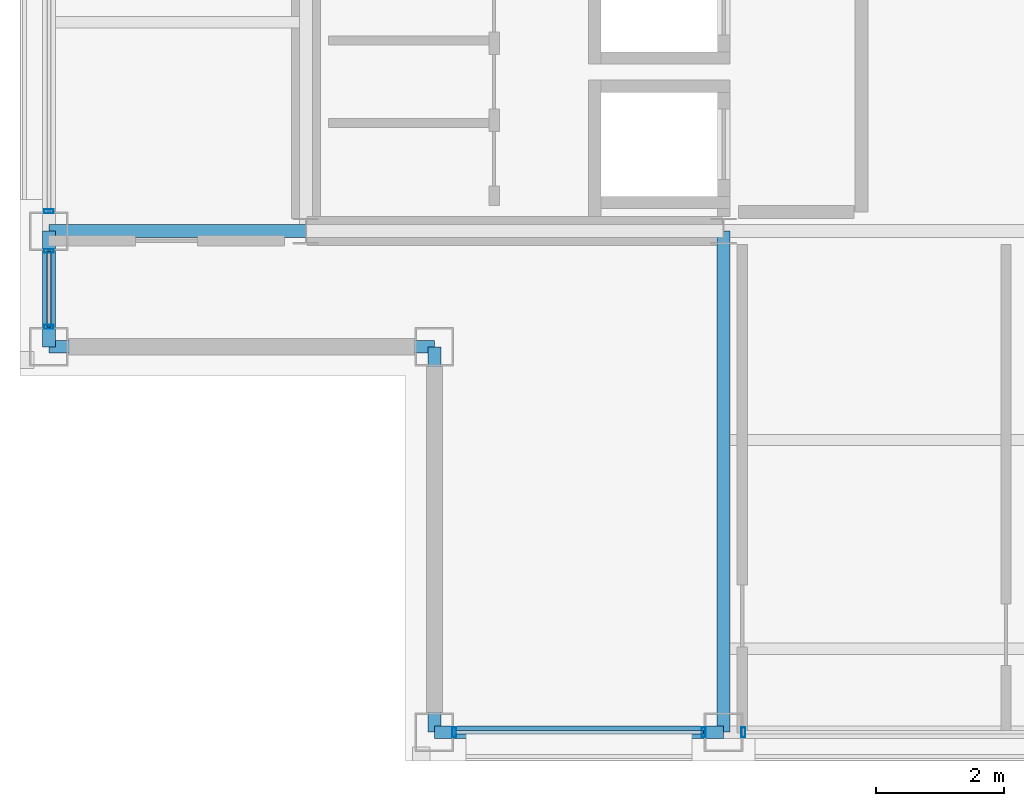
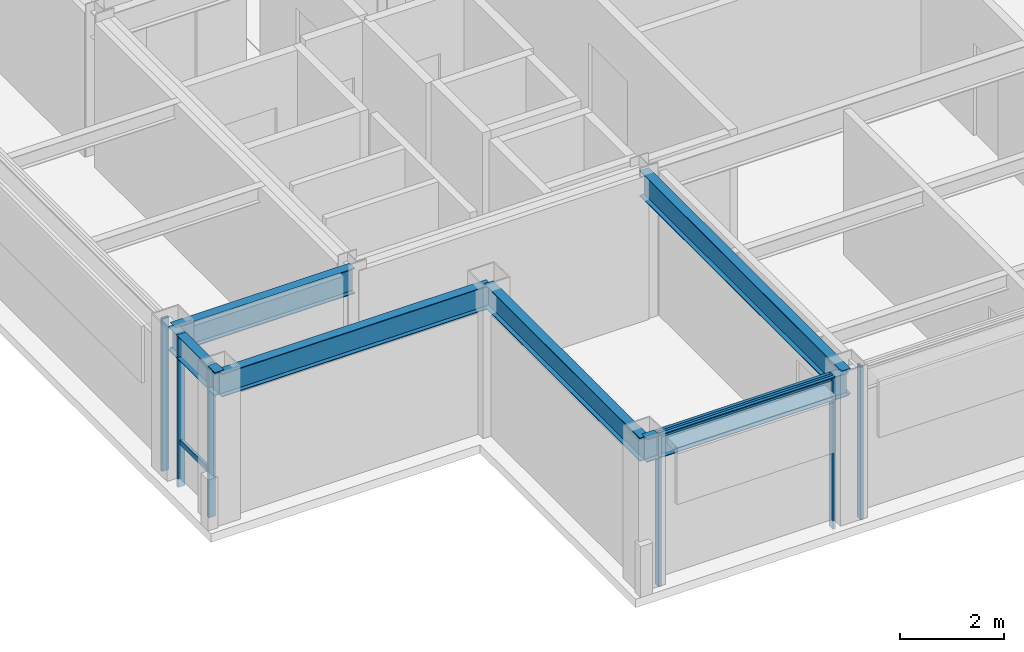
# One storey, part 2 of 20: 8 members, 6 beams, 4 elements without a shape of their own.
"""IFC4 building model written with IfcOpenShell, lengths in metres."""

from ifc_helpers import new_model, si_unit, direction, frame, origin, origin_2d, place, context, subcontext, project, spatial, hollow_rectangle, i_section, extrude, material, layer, layer_set, material_profile, profile_set, type_object, element, aggregate, save


model = new_model("IFC4")

# Units and contexts
model_context = context("Model", 3, precision=1e-05, world=origin(), true_north=direction((0.0, 1.0)))
body_context = subcontext(model_context, "Body", "Model", "MODEL_VIEW")
ifc_project = project(units=[si_unit("LENGTHUNIT", "METRE"), si_unit("AREAUNIT", "SQUARE_METRE"), si_unit("VOLUMEUNIT", "CUBIC_METRE"), si_unit("PLANEANGLEUNIT", "RADIAN"), si_unit("MASSUNIT", "GRAM", prefix="KILO")], contexts=[model_context])

# Site, building, storey
site_placement = place(None, origin())
site = spatial("IfcSite", under=ifc_project, at=site_placement, CompositionType="ELEMENT")
building_placement = place(site_placement, origin())
building = spatial("IfcBuilding", under=site, at=building_placement, Name="Brelmoor Portico Tower", CompositionType="ELEMENT")
storey_placement = place(building_placement, frame((0.0, 0.0, 272.39990234375)))
storey = spatial("IfcBuildingStorey", under=building, at=storey_placement, Name="L72", CompositionType="ELEMENT", Elevation=272.39990234375)

# Beams
ifc_material_1 = material(Name="Steel Q355B", Category="steel")
ifc_material_profile_1 = material_profile(ifc_material_1, i_section(OverallWidth=0.199951171875, OverallDepth=0.60009765625, WebThickness=0.010986328125, FlangeThickness=0.01708984375, at=origin_2d()), Name="HN 600x200x11x17")
ifc_profile_set_1 = profile_set([ifc_material_profile_1], Name="Steel Q355B")
beam_type_1 = type_object("IfcBeamType", Name="BM-PG-600", PredefinedType="BEAM", material=ifc_profile_set_1)
beam_1_placement = place(storey_placement, frame((-8.050048828125, -17.550048828125, 3.10009765625), z_axis=(0.0, 1.0, 0.0), x_axis=(-1.0, 0.0, 0.0)))
element("IfcBeam", 1, at=beam_1_placement, inside=storey, type_object=beam_type_1, Name="L72 Primary Floor Girder PG-03", PredefinedType="BEAM", context=body_context, shape_type="SweptSolid", body=[
    extrude(i_section(OverallWidth=0.199951171875, OverallDepth=0.60009765625, WebThickness=0.010986328125, FlangeThickness=0.01708984375, at=origin_2d()), origin(), (0.0, 0.0, 1.0), 7.800048828125),
])
beam_2_placement = place(storey_placement, frame((-18.550048828125, -9.75, 3.10009765625), z_axis=(1.0, 0.0, 0.0), x_axis=(0.0, 1.0, 0.0)))
element("IfcBeam", 2, at=beam_2_placement, inside=storey, type_object=beam_type_1, Name="L72 Primary Floor Girder PG-11", PredefinedType="BEAM", context=body_context, shape_type="SweptSolid", body=[
    extrude(i_section(OverallWidth=0.199951171875, OverallDepth=0.60009765625, WebThickness=0.010986328125, FlangeThickness=0.01708984375, at=origin_2d()), origin(), (0.0, 0.0, 1.0), 4.0),
])
ifc_material_profile_2 = material_profile(ifc_material_1, i_section(OverallWidth=0.199951171875, OverallDepth=0.550048828125, WebThickness=0.010009765625, FlangeThickness=0.01611328125, at=origin_2d()), Name="HN 550x200x10x16")
ifc_profile_set_2 = profile_set([ifc_material_profile_2], Name="Steel Q355B")
beam_type_2 = type_object("IfcBeamType", Name="BM-SP-550", PredefinedType="SPANDREL", material=ifc_profile_set_2)
beam_3_placement = place(storey_placement, frame((-12.550048828125, -17.550048828125, 3.125), z_axis=(1.0, 0.0, 0.0), x_axis=(0.0, 1.0, 0.0)))
element("IfcBeam", 3, at=beam_3_placement, inside=storey, type_object=beam_type_2, Name="L72 Perimeter Spandrel Beam SP-01", PredefinedType="SPANDREL", context=body_context, shape_type="SweptSolid", body=[
    extrude(i_section(OverallWidth=0.199951171875, OverallDepth=0.550048828125, WebThickness=0.010009765625, FlangeThickness=0.01611328125, at=origin_2d()), origin(), (0.0, 0.0, 1.0), 4.5),
])
beam_4_placement = place(storey_placement, frame((-18.550048828125, -11.550048828125, 3.125), z_axis=(1.0, 0.0, 0.0), x_axis=(0.0, 1.0, 0.0)))
element("IfcBeam", 4, at=beam_4_placement, inside=storey, type_object=beam_type_2, Name="L72 Perimeter Spandrel Beam SP-04", PredefinedType="SPANDREL", context=body_context, shape_type="SweptSolid", body=[
    extrude(i_section(OverallWidth=0.199951171875, OverallDepth=0.550048828125, WebThickness=0.010009765625, FlangeThickness=0.01611328125, at=origin_2d()), origin(), (0.0, 0.0, 1.0), 6.0),
])
beam_5_placement = place(storey_placement, frame((-18.550048828125, -11.550048828125, 3.125), z_axis=(0.0, 1.0, 0.0), x_axis=(-1.0, 0.0, 0.0)))
element("IfcBeam", 5, at=beam_5_placement, inside=storey, type_object=beam_type_2, Name="L72 Perimeter Spandrel Beam SP-11", PredefinedType="SPANDREL", context=body_context, shape_type="SweptSolid", body=[
    extrude(i_section(OverallWidth=0.199951171875, OverallDepth=0.550048828125, WebThickness=0.010009765625, FlangeThickness=0.01611328125, at=origin_2d()), origin(), (0.0, 0.0, 1.0), 1.800048828125),
])
beam_6_placement = place(storey_placement, frame((-12.550048828125, -17.550048828125, 3.125), z_axis=(0.0, 1.0, 0.0), x_axis=(-1.0, 0.0, 0.0)))
element("IfcBeam", 6, at=beam_6_placement, inside=storey, type_object=beam_type_2, Name="L72 Perimeter Spandrel Beam SP-14", PredefinedType="SPANDREL", context=body_context, shape_type="SweptSolid", body=[
    extrude(i_section(OverallWidth=0.199951171875, OverallDepth=0.550048828125, WebThickness=0.010009765625, FlangeThickness=0.01611328125, at=origin_2d()), origin(), (0.0, 0.0, 1.0), 6.0),
])

# Curtain wall, members
ifc_material_2 = material(Name="Anodised Aluminium Alloy 6063-T6", Category="aluminium")
ifc_layer_1 = layer(ifc_material_2, 0.179931640625)
ifc_layer_set_1 = layer_set([ifc_layer_1], Name="Anodised Aluminium Alloy 6063-T6")
curtain_wall_type_1 = type_object("IfcCurtainWallType", Name="CW-TOWER-Z4-XB", PredefinedType="NOTDEFINED", material=ifc_layer_set_1)
curtain_wall_1_placement = place(storey_placement, origin())
curtain_wall_1 = element("IfcCurtainWall", 7, at=curtain_wall_1_placement, inside=storey, type_object=curtain_wall_type_1, Name="L72 Curtain Wall CW-L72-01-1", PredefinedType="NOTDEFINED")
ifc_material_profile_3 = material_profile(ifc_material_2, hollow_rectangle(XDim=0.06005859375, YDim=0.14990234375, WallThickness=0.00390625, at=origin_2d()), Name="ALU MULLION 60x150")
ifc_profile_set_3 = profile_set([ifc_material_profile_3], Name="Anodised Aluminium Alloy 6063-T6")
member_type_1 = type_object("IfcMemberType", Name="MB-CW-MULL-150", PredefinedType="MULLION", material=ifc_profile_set_3)
member_1_placement = place(storey_placement, frame((-12.239990234375, -17.550048828125, -0.199951171875), z_axis=(0.0, 0.0, 1.0), x_axis=(1.0, 0.0, 0.0)))
member_1 = element("IfcMember", 8, at=member_1_placement, type_object=member_type_1, Name="CW-L72-01-1 Mullion 00", PredefinedType="MULLION", context=body_context, shape_type="SweptSolid", body=[
    extrude(hollow_rectangle(XDim=0.06005859375, YDim=0.14990234375, WallThickness=0.00390625, at=origin_2d()), origin(), (0.0, 0.0, 1.0), 3.60009765625),
])
member_2_placement = place(storey_placement, frame((-8.360107421875, -17.550048828125, -0.199951171875), z_axis=(0.0, 0.0, 1.0), x_axis=(1.0, 0.0, 0.0)))
member_2 = element("IfcMember", 9, at=member_2_placement, type_object=member_type_1, Name="CW-L72-01-1 Mullion 01", PredefinedType="MULLION", context=body_context, shape_type="SweptSolid", body=[
    extrude(hollow_rectangle(XDim=0.06005859375, YDim=0.14990234375, WallThickness=0.00390625, at=origin_2d()), origin(), (0.0, 0.0, 1.0), 3.60009765625),
])

# Curtain wall, member
curtain_wall_2_placement = place(storey_placement, origin())
curtain_wall_2 = element("IfcCurtainWall", 10, at=curtain_wall_2_placement, inside=storey, type_object=curtain_wall_type_1, Name="L72 Curtain Wall CW-L72-01-2", PredefinedType="NOTDEFINED")
member_3_placement = place(storey_placement, frame((-7.739990234375, -17.550048828125, -0.199951171875), z_axis=(0.0, 0.0, 1.0), x_axis=(1.0, 0.0, 0.0)))
member_3 = element("IfcMember", 11, at=member_3_placement, type_object=member_type_1, Name="CW-L72-01-2 Mullion 00", PredefinedType="MULLION", context=body_context, shape_type="SweptSolid", body=[
    extrude(hollow_rectangle(XDim=0.06005859375, YDim=0.14990234375, WallThickness=0.00390625, at=origin_2d()), origin(), (0.0, 0.0, 1.0), 3.60009765625),
])
aggregate(curtain_wall_2, [member_3])

# Curtain wall, members
ifc_layer_2 = layer(ifc_material_2, 0.179931640625)
ifc_layer_set_2 = layer_set([ifc_layer_2], Name="Anodised Aluminium Alloy 6063-T6")
curtain_wall_type_2 = type_object("IfcCurtainWallType", Name="CW-TOWER-Z4", PredefinedType="NOTDEFINED", material=ifc_layer_set_2)
curtain_wall_3_placement = place(storey_placement, origin())
curtain_wall_3 = element("IfcCurtainWall", 12, at=curtain_wall_3_placement, inside=storey, type_object=curtain_wall_type_2, Name="L72 Curtain Wall CW-L72-03-1", PredefinedType="NOTDEFINED")
member_4_placement = place(storey_placement, frame((-18.550048828125, -11.239990234375, -0.199951171875), z_axis=(0.0, 0.0, 1.0), x_axis=(0.0, 1.0, 0.0)))
member_4 = element("IfcMember", 13, at=member_4_placement, type_object=member_type_1, Name="CW-L72-03-1 Mullion 00", PredefinedType="MULLION", context=body_context, shape_type="SweptSolid", body=[
    extrude(hollow_rectangle(XDim=0.06005859375, YDim=0.14990234375, WallThickness=0.00390625, at=origin_2d()), origin(), (0.0, 0.0, 1.0), 3.60009765625),
])
member_5_placement = place(storey_placement, frame((-18.550048828125, -10.06005859375, -0.199951171875), z_axis=(0.0, 0.0, 1.0), x_axis=(0.0, 1.0, 0.0)))
member_5 = element("IfcMember", 14, at=member_5_placement, type_object=member_type_1, Name="CW-L72-03-1 Mullion 01", PredefinedType="MULLION", context=body_context, shape_type="SweptSolid", body=[
    extrude(hollow_rectangle(XDim=0.06005859375, YDim=0.14990234375, WallThickness=0.00390625, at=origin_2d()), origin(), (0.0, 0.0, 1.0), 3.60009765625),
])

# Curtain wall, member
curtain_wall_4_placement = place(storey_placement, origin())
curtain_wall_4 = element("IfcCurtainWall", 15, at=curtain_wall_4_placement, inside=storey, type_object=curtain_wall_type_1, Name="L72 Curtain Wall CW-L72-03-2", PredefinedType="NOTDEFINED")
member_6_placement = place(storey_placement, frame((-18.550048828125, -9.43994140625, -0.199951171875), z_axis=(0.0, 0.0, 1.0), x_axis=(0.0, 1.0, 0.0)))
member_6 = element("IfcMember", 16, at=member_6_placement, type_object=member_type_1, Name="CW-L72-03-2 Mullion 00", PredefinedType="MULLION", context=body_context, shape_type="SweptSolid", body=[
    extrude(hollow_rectangle(XDim=0.06005859375, YDim=0.14990234375, WallThickness=0.00390625, at=origin_2d()), origin(), (0.0, 0.0, 1.0), 3.60009765625),
])
aggregate(curtain_wall_4, [member_6])

# Member
ifc_material_profile_4 = material_profile(ifc_material_2, hollow_rectangle(XDim=0.06005859375, YDim=0.125, WallThickness=0.00341796875, at=origin_2d()), Name="ALU TRANSOM 60x125")
ifc_profile_set_4 = profile_set([ifc_material_profile_4], Name="Anodised Aluminium Alloy 6063-T6")
member_type_2 = type_object("IfcMemberType", Name="MB-CW-TRAN-125", PredefinedType="USERDEFINED", material=ifc_profile_set_4)
member_7_placement = place(storey_placement, frame((-12.239990234375, -17.550048828125, 3.337646484375), z_axis=(1.0, 0.0, 0.0), x_axis=(0.0, 1.0, 0.0)))
member_7 = element("IfcMember", 17, at=member_7_placement, type_object=member_type_2, Name="CW-L72-01-1 Transom 1-00", ObjectType="TRANSOM", PredefinedType="USERDEFINED", context=body_context, shape_type="SweptSolid", body=[
    extrude(hollow_rectangle(XDim=0.06005859375, YDim=0.125, WallThickness=0.00341796875, at=origin_2d()), origin(), (0.0, 0.0, 1.0), 3.8798828125),
])

aggregate(curtain_wall_1, [member_1, member_2, member_7])

member_8_placement = place(storey_placement, frame((-18.550048828125, -11.239990234375, 0.85009765625), z_axis=(0.0, 1.0, 0.0), x_axis=(-1.0, 0.0, 0.0)))
member_8 = element("IfcMember", 18, at=member_8_placement, type_object=member_type_2, Name="CW-L72-03-1 Transom 1-00", ObjectType="TRANSOM", PredefinedType="USERDEFINED", context=body_context, shape_type="SweptSolid", body=[
    extrude(hollow_rectangle(XDim=0.06005859375, YDim=0.125, WallThickness=0.00341796875, at=origin_2d()), origin(), (0.0, 0.0, 1.0), 1.179931640625),
])

aggregate(curtain_wall_3, [member_4, member_5, member_8])

save(model, "model.ifc")
